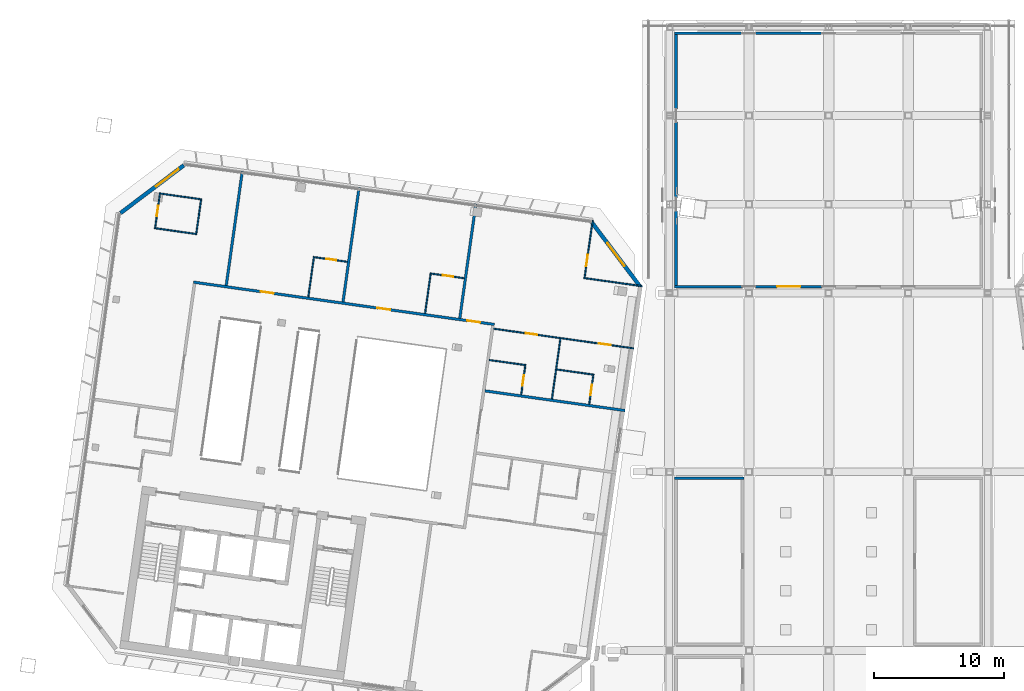
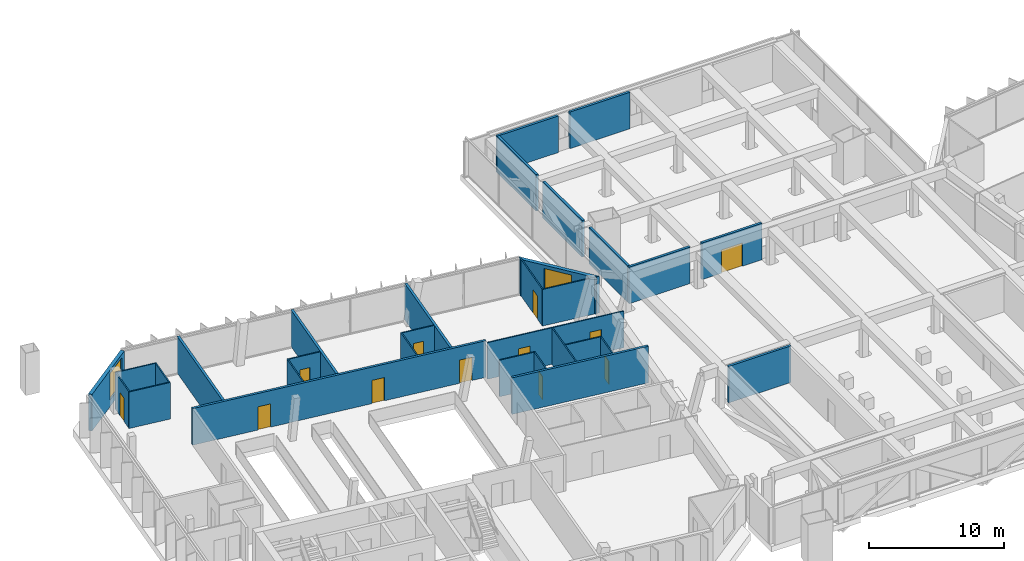
# One storey, part 20 of 30: 31 walls, 12 doors, 2 windows, 14 openings.
"""IFC4 building model written with IfcOpenShell, lengths in metres."""

from ifc_helpers import new_model, si_unit, direction, frame, frame_2d, origin, place, context, subcontext, project, spatial, rectangle, extrude, material, layer, layer_set, type_object, element, fill, save


model = new_model("IFC4")

# Units and contexts
model_context = context("Model", 3, precision=1e-05, world=origin(), true_north=direction((0.0, 1.0)))
body_context = subcontext(model_context, "Body", "Model", "MODEL_VIEW")
ifc_project = project(units=[si_unit("LENGTHUNIT", "METRE"), si_unit("AREAUNIT", "SQUARE_METRE"), si_unit("VOLUMEUNIT", "CUBIC_METRE"), si_unit("PLANEANGLEUNIT", "RADIAN"), si_unit("MASSUNIT", "GRAM", prefix="KILO")], contexts=[model_context])

# Site, building, storey
site_placement = place(None, origin())
site = spatial("IfcSite", under=ifc_project, at=site_placement, CompositionType="ELEMENT")
building_placement = place(site_placement, origin())
building = spatial("IfcBuilding", under=site, at=building_placement, Name="Mirante Cascada Hotel Towers", CompositionType="ELEMENT")
storey_placement = place(building_placement, frame((0.0, 0.0, 258.4)))
storey = spatial("IfcBuildingStorey", under=building, at=storey_placement, Name="L62", CompositionType="ELEMENT", Elevation=258.4)

# Wall
ifc_material_1 = material(Name="Fire-rated plasterboard on metal studs")
ifc_layer_1 = layer(ifc_material_1, 0.2)
ifc_layer_set_1 = layer_set([ifc_layer_1], Name="Compartment wall 200 EI 120")
wall_type_1 = type_object("IfcWallType", Name="Compartment wall 200 EI 120", PredefinedType="PARTITIONING", material=ifc_layer_set_1)
wall_1_placement = place(storey_placement, frame((-26.4556, 2.3827, 0.0), z_axis=(0.0, 0.0, 1.0), x_axis=(0.9902677, -0.1391755, 0.0)))
element("IfcWall", 1, at=wall_1_placement, inside=storey, type_object=wall_type_1, Name="Wall 1-L62-12", PredefinedType="PARTITIONING", context=body_context, shape_type="SweptSolid", body=[
    extrude(rectangle(XDim=10.8798, YDim=0.2, at=frame_2d((5.4399, 0.0))), origin(), (0.0, 0.0, 1.0), 3.3),
])

# Wall, openings, doors
wall_2_placement = place(storey_placement, frame((-48.9088, 10.7557, 0.0), z_axis=(0.0, 0.0, 1.0), x_axis=(0.9902684, -0.1391708, 0.0)))
wall_2 = element("IfcWall", 2, at=wall_2_placement, inside=storey, type_object=wall_type_1, Name="Wall 1-L62-16", PredefinedType="PARTITIONING", context=body_context, shape_type="SweptSolid", body=[
    extrude(rectangle(XDim=23.4, YDim=0.2, at=frame_2d((11.7, 0.0))), origin(), (0.0, 0.0, 1.0), 3.3),
])
opening_1_placement = place(wall_2_placement, frame((21.2999, 0.0, 0.0)))
opening_1 = element("IfcOpeningElement", 3, at=opening_1_placement, cuts=wall_2, Name="Opening D1-L62-10", PredefinedType="OPENING", context=body_context, shape_type="SweptSolid", body=[
    extrude(rectangle(XDim=1.0, YDim=2.1, at=frame_2d((0.5, 1.05))), frame((0.0, 0.1, 0.0), z_axis=(0.0, -1.0, 0.0), x_axis=(1.0, 0.0, 0.0)), (0.0, 0.0, 1.0), 0.2),
])
opening_2_placement = place(wall_2_placement, frame((14.3099, 0.0, 0.0)))
opening_2 = element("IfcOpeningElement", 4, at=opening_2_placement, cuts=wall_2, Name="Opening D1-L62-11", PredefinedType="OPENING", context=body_context, shape_type="SweptSolid", body=[
    extrude(rectangle(XDim=1.0, YDim=2.1, at=frame_2d((0.5, 1.05))), frame((0.0, 0.1, 0.0), z_axis=(0.0, -1.0, 0.0), x_axis=(1.0, 0.0, 0.0)), (0.0, 0.0, 1.0), 0.2),
])
opening_3_placement = place(wall_2_placement, frame((5.2299, 0.0, 0.0)))
opening_3 = element("IfcOpeningElement", 5, at=opening_3_placement, cuts=wall_2, Name="Opening D1-L62-12", PredefinedType="OPENING", context=body_context, shape_type="SweptSolid", body=[
    extrude(rectangle(XDim=1.0, YDim=2.1, at=frame_2d((0.5, 1.05))), frame((0.0, 0.1, 0.0), z_axis=(0.0, -1.0, 0.0), x_axis=(1.0, 0.0, 0.0)), (0.0, 0.0, 1.0), 0.2),
])
ifc_material_2 = material(Name="Fire-rated timber door leaf", Category="wood")
door_type_1 = type_object("IfcDoorType", Name="Entrance door DG1 1000x2100 EI 60", OperationType="SINGLE_SWING_LEFT", PredefinedType="DOOR", material=ifc_material_2)
door_1_placement = place(opening_1_placement, origin())
door_1 = element("IfcDoor", 6, at=door_1_placement, inside=storey, type_object=door_type_1, Name="Door D1-L62-10", OperationType="SINGLE_SWING_LEFT", OverallHeight=2.1, OverallWidth=1.0, PredefinedType="DOOR", context=body_context, shape_type="SweptSolid", body=[
    extrude(rectangle(XDim=1.0, YDim=2.1, at=frame_2d((0.5, 1.05))), frame((0.0, 0.025, 0.0), z_axis=(0.0, -1.0, 0.0), x_axis=(1.0, 0.0, 0.0)), (0.0, 0.0, 1.0), 0.05),
])
fill(opening_1, door_1)
door_2_placement = place(opening_2_placement, origin())
door_2 = element("IfcDoor", 7, at=door_2_placement, inside=storey, type_object=door_type_1, Name="Door D1-L62-11", OperationType="SINGLE_SWING_LEFT", OverallHeight=2.1, OverallWidth=1.0, PredefinedType="DOOR", context=body_context, shape_type="SweptSolid", body=[
    extrude(rectangle(XDim=1.0, YDim=2.1, at=frame_2d((0.5, 1.05))), frame((0.0, 0.025, 0.0), z_axis=(0.0, -1.0, 0.0), x_axis=(1.0, 0.0, 0.0)), (0.0, 0.0, 1.0), 0.05),
])
fill(opening_2, door_2)
door_3_placement = place(opening_3_placement, origin())
door_3 = element("IfcDoor", 8, at=door_3_placement, inside=storey, type_object=door_type_1, Name="Door D1-L62-12", OperationType="SINGLE_SWING_LEFT", OverallHeight=2.1, OverallWidth=1.0, PredefinedType="DOOR", context=body_context, shape_type="SweptSolid", body=[
    extrude(rectangle(XDim=1.0, YDim=2.1, at=frame_2d((0.5, 1.05))), frame((0.0, 0.025, 0.0), z_axis=(0.0, -1.0, 0.0), x_axis=(1.0, 0.0, 0.0)), (0.0, 0.0, 1.0), 0.05),
])
fill(opening_3, door_3)

# Walls
for number, where, z_axis, x_axis, name in (
    (9, (-27.1579, 16.7873, 0.0), (0.0, 0.0, 1.0), (-0.1391684, -0.9902687, 0.0), "Wall 1-L62-32"),
    (10, (-36.1494, 18.051, 0.0), (0.0, 0.0, 1.0), (-0.1391684, -0.9902687, 0.0), "Wall 1-L62-34"),
):
    element("IfcWall", number, at=place(storey_placement, frame(where, z_axis=z_axis, x_axis=x_axis)), inside=storey, type_object=wall_type_1, Name=name, PredefinedType="PARTITIONING", context=body_context, shape_type="SweptSolid", body=[
        extrude(rectangle(XDim=8.9, YDim=0.2, at=frame_2d((4.45, 0.0))), origin(), (0.0, 0.0, 1.0), 3.3),
    ])
wall_3_placement = place(storey_placement, frame((-45.1409, 19.3146, 0.0), z_axis=(0.0, 0.0, 1.0), x_axis=(-0.139181, -0.990267, 0.0)))
element("IfcWall", 11, at=wall_3_placement, inside=storey, type_object=wall_type_1, Name="Wall 1-L62-36", PredefinedType="PARTITIONING", context=body_context, shape_type="SweptSolid", body=[
    extrude(rectangle(XDim=8.8999, YDim=0.2, at=frame_2d((4.45, 0.0))), origin(), (0.0, 0.0, 1.0), 3.3),
])
ifc_material_3 = material(Name="Masonry block", Category="masonry")
ifc_layer_2 = layer(ifc_material_3, 0.2)
ifc_layer_set_2 = layer_set([ifc_layer_2], Name="Deck room wall 200 block EI 120")
wall_type_2 = type_object("IfcWallType", Name="Deck room wall 200 block EI 120", PredefinedType="PARTITIONING", material=ifc_layer_set_2)
wall_4_placement = place(storey_placement, frame((-11.85, -4.35, 0.0), z_axis=(0.0, 0.0, 1.0), x_axis=(1.0, 0.0, 0.0)))
element("IfcWall", 12, at=wall_4_placement, inside=storey, type_object=wall_type_2, Name="Sky park fire wall L62 W6", PredefinedType="PARTITIONING", context=body_context, shape_type="SweptSolid", body=[
    extrude(rectangle(XDim=5.32, YDim=0.2, at=frame_2d((2.66, 0.0))), origin(), (0.0, 0.0, 1.0), 3.3),
])
for number, where, z_axis, x_axis, name in (
    (13, (-11.85, 10.41, 0.0), (0.0, 0.0, 1.0), (1.0, 0.0, 0.0), "Sky park fire wall L62 W17"),
    (14, (-11.85, 29.91, 0.0), (0.0, 0.0, 1.0), (1.0, 0.0, 0.0), "Sky park fire wall L62 W18"),
):
    element("IfcWall", number, at=place(storey_placement, frame(where, z_axis=z_axis, x_axis=x_axis)), inside=storey, type_object=wall_type_2, Name=name, PredefinedType="PARTITIONING", context=body_context, shape_type="SweptSolid", body=[
        extrude(rectangle(XDim=5.22, YDim=0.2, at=frame_2d((2.61, 0.0))), origin(), (0.0, 0.0, 1.0), 3.3),
    ])

# Wall, opening, door
wall_5_placement = place(storey_placement, frame((-5.63, 10.41, 0.0), z_axis=(0.0, 0.0, 1.0), x_axis=(1.0, 0.0, 0.0)))
wall_5 = element("IfcWall", 15, at=wall_5_placement, inside=storey, type_object=wall_type_2, Name="Sky park fire wall L62 W19", PredefinedType="PARTITIONING", context=body_context, shape_type="SweptSolid", body=[
    extrude(rectangle(XDim=5.13, YDim=0.2, at=frame_2d((2.565, 0.0))), origin(), (0.0, 0.0, 1.0), 3.3),
])
opening_4_placement = place(wall_5_placement, frame((1.665, 0.0, 0.0)))
opening_4 = element("IfcOpeningElement", 16, at=opening_4_placement, cuts=wall_5, Name="Opening DD-62-05", PredefinedType="OPENING", context=body_context, shape_type="SweptSolid", body=[
    extrude(rectangle(XDim=1.8, YDim=2.1, at=frame_2d((0.9, 1.05))), frame((0.0, 0.1, 0.0), z_axis=(0.0, -1.0, 0.0), x_axis=(1.0, 0.0, 0.0)), (0.0, 0.0, 1.0), 0.2),
])
ifc_material_4 = material(Name="Hollow metal fire door leaf")
door_type_2 = type_object("IfcDoorType", Name="Double fire door 1800x2100 FD60 self-closing", OperationType="DOUBLE_DOOR_SINGLE_SWING", PredefinedType="DOOR", material=ifc_material_4)
door_4_placement = place(opening_4_placement, frame((1.8, 0.0, 0.0), z_axis=(0.0, 0.0, 1.0), x_axis=(-1.0, 0.0, 0.0)))
door_4 = element("IfcDoor", 17, at=door_4_placement, inside=storey, type_object=door_type_2, Name="Fire door sky park L62 d5", OperationType="DOUBLE_DOOR_SINGLE_SWING", OverallHeight=2.1, OverallWidth=1.8, PredefinedType="DOOR", context=body_context, shape_type="SweptSolid", body=[
    extrude(rectangle(XDim=0.895, YDim=2.1, at=frame_2d((0.4475, 1.05))), frame((0.0, 0.025, 0.0), z_axis=(0.0, -1.0, 0.0), x_axis=(1.0, 0.0, 0.0)), (0.0, 0.0, 1.0), 0.05),
    extrude(rectangle(XDim=0.895, YDim=2.1, at=frame_2d((1.3525, 1.05))), frame((0.0, 0.025, 0.0), z_axis=(0.0, -1.0, 0.0), x_axis=(1.0, 0.0, 0.0)), (0.0, 0.0, 1.0), 0.05),
])
fill(opening_4, door_4)

# Walls
wall_6_placement = place(storey_placement, frame((-5.63, 29.91, 0.0), z_axis=(0.0, 0.0, 1.0), x_axis=(1.0, 0.0, 0.0)))
element("IfcWall", 18, at=wall_6_placement, inside=storey, type_object=wall_type_2, Name="Sky park fire wall L62 W20", PredefinedType="PARTITIONING", context=body_context, shape_type="SweptSolid", body=[
    extrude(rectangle(XDim=5.13, YDim=0.2, at=frame_2d((2.565, 0.0))), origin(), (0.0, 0.0, 1.0), 3.3),
])
wall_7_placement = place(storey_placement, frame((-11.75, 10.51, 0.0), z_axis=(0.0, 0.0, 1.0), x_axis=(0.0, 1.0, 0.0)))
element("IfcWall", 19, at=wall_7_placement, inside=storey, type_object=wall_type_2, Name="Sky park fire wall L62 W25", PredefinedType="PARTITIONING", context=body_context, shape_type="SweptSolid", body=[
    extrude(rectangle(XDim=5.74, YDim=0.2, at=frame_2d((2.87, 0.0))), origin(), (0.0, 0.0, 1.0), 3.3),
])
wall_8_placement = place(storey_placement, frame((-11.75, 17.25, 0.0), z_axis=(0.0, 0.0, 1.0), x_axis=(0.0, 1.0, 0.0)))
element("IfcWall", 20, at=wall_8_placement, inside=storey, type_object=wall_type_2, Name="Sky park fire wall L62 W27", PredefinedType="PARTITIONING", context=body_context, shape_type="SweptSolid", body=[
    extrude(rectangle(XDim=5.83, YDim=0.2, at=frame_2d((2.915, 0.0))), origin(), (0.0, 0.0, 1.0), 3.3),
])
wall_9_placement = place(storey_placement, frame((-11.75, 24.08, 0.0), z_axis=(0.0, 0.0, 1.0), x_axis=(0.0, 1.0, 0.0)))
element("IfcWall", 21, at=wall_9_placement, inside=storey, type_object=wall_type_2, Name="Sky park fire wall L62 W29", PredefinedType="PARTITIONING", context=body_context, shape_type="SweptSolid", body=[
    extrude(rectangle(XDim=5.73, YDim=0.2, at=frame_2d((2.865, 0.0))), origin(), (0.0, 0.0, 1.0), 3.3),
])
ifc_material_5 = material(Name="Plasterboard on metal studs")
ifc_layer_3 = layer(ifc_material_5, 0.1)
ifc_layer_set_3 = layer_set([ifc_layer_3], Name="Partition 100")
wall_type_3 = type_object("IfcWallType", Name="Partition 100", PredefinedType="PARTITIONING", material=ifc_layer_set_3)
wall_10_placement = place(storey_placement, frame((-18.061, 3.6265, 0.0), z_axis=(0.0, 0.0, 1.0), x_axis=(-0.9902676, 0.1391761, 0.0)))
element("IfcWall", 22, at=wall_10_placement, inside=storey, type_object=wall_type_3, Name="Wall 1-L62-13", PredefinedType="PARTITIONING", context=body_context, shape_type="SweptSolid", body=[
    extrude(rectangle(XDim=2.8999, YDim=0.1, at=frame_2d((1.45, 0.0))), origin(), (0.0, 0.0, 1.0), 3.3),
])
wall_11_placement = place(storey_placement, frame((-26.1215, 4.7593, 0.0), z_axis=(0.0, 0.0, 1.0), x_axis=(0.9902697, -0.1391613, 0.0)))
element("IfcWall", 23, at=wall_11_placement, inside=storey, type_object=wall_type_3, Name="Wall 1-L62-14", PredefinedType="PARTITIONING", context=body_context, shape_type="SweptSolid", body=[
    extrude(rectangle(XDim=2.8499, YDim=0.1, at=frame_2d((1.425, 0.0))), origin(), (0.0, 0.0, 1.0), 3.3),
])

# Wall, openings, doors
wall_12_placement = place(storey_placement, frame((-15.0091, 5.6549, 0.0), z_axis=(0.0, 0.0, 1.0), x_axis=(-0.9902688, 0.1391678, 0.0)))
wall_12 = element("IfcWall", 24, at=wall_12_placement, inside=storey, type_object=wall_type_3, Name="Wall 1-L62-15", PredefinedType="PARTITIONING", context=body_context, shape_type="SweptSolid", body=[
    extrude(rectangle(XDim=10.8797, YDim=0.1, at=frame_2d((5.4398, 0.0))), origin(), (0.0, 0.0, 1.0), 3.3),
])
opening_5_placement = place(wall_12_placement, frame((1.7949, 0.0, 0.0)))
opening_5 = element("IfcOpeningElement", 25, at=opening_5_placement, cuts=wall_12, Name="Opening D1-L62-08", PredefinedType="OPENING", context=body_context, shape_type="SweptSolid", body=[
    extrude(rectangle(XDim=0.9, YDim=2.1, at=frame_2d((0.45, 1.05))), frame((0.0, 0.05, 0.0), z_axis=(0.0, -1.0, 0.0), x_axis=(1.0, 0.0, 0.0)), (0.0, 0.0, 1.0), 0.1),
])
opening_6_placement = place(wall_12_placement, frame((7.4848, 0.0, 0.0)))
opening_6 = element("IfcOpeningElement", 26, at=opening_6_placement, cuts=wall_12, Name="Opening D1-L62-09", PredefinedType="OPENING", context=body_context, shape_type="SweptSolid", body=[
    extrude(rectangle(XDim=0.9, YDim=2.1, at=frame_2d((0.45, 1.05))), frame((0.0, 0.05, 0.0), z_axis=(0.0, -1.0, 0.0), x_axis=(1.0, 0.0, 0.0)), (0.0, 0.0, 1.0), 0.1),
])
ifc_material_6 = material(Name="Timber door leaf", Category="wood")
door_type_3 = type_object("IfcDoorType", Name="Room door DG3 900x2100", OperationType="SINGLE_SWING_LEFT", PredefinedType="DOOR", material=ifc_material_6)
door_5_placement = place(opening_5_placement, frame((0.9, 0.0, 0.0), z_axis=(0.0, 0.0, 1.0), x_axis=(-1.0, 0.0, 0.0)))
door_5 = element("IfcDoor", 27, at=door_5_placement, inside=storey, type_object=door_type_3, Name="Door D1-L62-08", OperationType="SINGLE_SWING_RIGHT", OverallHeight=2.1, OverallWidth=0.9, PredefinedType="DOOR", context=body_context, shape_type="SweptSolid", body=[
    extrude(rectangle(XDim=0.9, YDim=2.1, at=frame_2d((0.45, 1.05))), frame((0.0, 0.025, 0.0), z_axis=(0.0, -1.0, 0.0), x_axis=(1.0, 0.0, 0.0)), (0.0, 0.0, 1.0), 0.05),
])
fill(opening_5, door_5)
door_6_placement = place(opening_6_placement, frame((0.9, 0.0, 0.0), z_axis=(0.0, 0.0, 1.0), x_axis=(-1.0, 0.0, 0.0)))
door_6 = element("IfcDoor", 28, at=door_6_placement, inside=storey, type_object=door_type_3, Name="Door D1-L62-09", OperationType="SINGLE_SWING_RIGHT", OverallHeight=2.1, OverallWidth=0.9, PredefinedType="DOOR", context=body_context, shape_type="SweptSolid", body=[
    extrude(rectangle(XDim=0.9, YDim=2.1, at=frame_2d((0.45, 1.05))), frame((0.0, 0.025, 0.0), z_axis=(0.0, -1.0, 0.0), x_axis=(1.0, 0.0, 0.0)), (0.0, 0.0, 1.0), 0.05),
])
fill(opening_6, door_6)

# Wall, opening, door
wall_13_placement = place(storey_placement, frame((-28.0641, 11.0576, 0.0), z_axis=(0.0, 0.0, 1.0), x_axis=(-0.9902677, 0.1391755, 0.0)))
wall_13 = element("IfcWall", 29, at=wall_13_placement, inside=storey, type_object=wall_type_3, Name="Wall 1-L62-17", PredefinedType="PARTITIONING", context=body_context, shape_type="SweptSolid", body=[
    extrude(rectangle(XDim=2.55, YDim=0.1, at=frame_2d((1.275, 0.0))), origin(), (0.0, 0.0, 1.0), 3.3),
])
opening_7_placement = place(wall_13_placement, frame((0.85, 0.0, 0.0)))
opening_7 = element("IfcOpeningElement", 30, at=opening_7_placement, cuts=wall_13, Name="Opening D1-L62-13", PredefinedType="OPENING", context=body_context, shape_type="SweptSolid", body=[
    extrude(rectangle(XDim=0.8, YDim=2.1, at=frame_2d((0.4, 1.05))), frame((0.0, 0.05, 0.0), z_axis=(0.0, -1.0, 0.0), x_axis=(1.0, 0.0, 0.0)), (0.0, 0.0, 1.0), 0.1),
])
ifc_material_7 = material(Name="Timber door leaf", Category="wood")
door_type_4 = type_object("IfcDoorType", Name="Bathroom door DG4 800x2100", OperationType="SINGLE_SWING_LEFT", PredefinedType="DOOR", material=ifc_material_7)
door_7_placement = place(opening_7_placement, frame((0.8, 0.0, 0.0), z_axis=(0.0, 0.0, 1.0), x_axis=(-1.0, 0.0, 0.0)))
door_7 = element("IfcDoor", 31, at=door_7_placement, inside=storey, type_object=door_type_4, Name="Door D1-L62-13", OperationType="SINGLE_SWING_RIGHT", OverallHeight=2.1, OverallWidth=0.8, PredefinedType="DOOR", context=body_context, shape_type="SweptSolid", body=[
    extrude(rectangle(XDim=0.8, YDim=2.1, at=frame_2d((0.4, 1.05))), frame((0.0, 0.025, 0.0), z_axis=(0.0, -1.0, 0.0), x_axis=(1.0, 0.0, 0.0)), (0.0, 0.0, 1.0), 0.05),
])
fill(opening_7, door_7)

wall_14_placement = place(storey_placement, frame((-39.5808, 12.6762, 0.0), z_axis=(0.0, 0.0, 1.0), x_axis=(0.9902677, -0.1391755, 0.0)))
wall_14 = element("IfcWall", 32, at=wall_14_placement, inside=storey, type_object=wall_type_3, Name="Wall 1-L62-18", PredefinedType="PARTITIONING", context=body_context, shape_type="SweptSolid", body=[
    extrude(rectangle(XDim=2.55, YDim=0.1, at=frame_2d((1.275, 0.0))), origin(), (0.0, 0.0, 1.0), 3.3),
])
opening_8_placement = place(wall_14_placement, frame((0.9, 0.0, 0.0)))
opening_8 = element("IfcOpeningElement", 33, at=opening_8_placement, cuts=wall_14, Name="Opening D1-L62-14", PredefinedType="OPENING", context=body_context, shape_type="SweptSolid", body=[
    extrude(rectangle(XDim=0.8, YDim=2.1, at=frame_2d((0.4, 1.05))), frame((0.0, 0.05, 0.0), z_axis=(0.0, -1.0, 0.0), x_axis=(1.0, 0.0, 0.0)), (0.0, 0.0, 1.0), 0.1),
])
door_8_placement = place(opening_8_placement, origin())
door_8 = element("IfcDoor", 34, at=door_8_placement, inside=storey, type_object=door_type_4, Name="Door D1-L62-14", OperationType="SINGLE_SWING_LEFT", OverallHeight=2.1, OverallWidth=0.8, PredefinedType="DOOR", context=body_context, shape_type="SweptSolid", body=[
    extrude(rectangle(XDim=0.8, YDim=2.1, at=frame_2d((0.4, 1.05))), frame((0.0, 0.025, 0.0), z_axis=(0.0, -1.0, 0.0), x_axis=(1.0, 0.0, 0.0)), (0.0, 0.0, 1.0), 0.05),
])
fill(opening_8, door_8)

# Walls
wall_15_placement = place(storey_placement, frame((-48.6414, 14.4545, 0.0), z_axis=(0.0, 0.0, 1.0), x_axis=(-0.990267, 0.139181, 0.0)))
element("IfcWall", 35, at=wall_15_placement, inside=storey, type_object=wall_type_3, Name="Wall 1-L62-19", PredefinedType="PARTITIONING", context=body_context, shape_type="SweptSolid", body=[
    extrude(rectangle(XDim=3.3, YDim=0.1, at=frame_2d((1.65, 0.0))), origin(), (0.0, 0.0, 1.0), 3.3),
])
wall_16_placement = place(storey_placement, frame((-18.8421, 11.0744, 0.0), z_axis=(0.0, 0.0, 1.0), x_axis=(0.9902661, -0.1391871, 0.0)))
element("IfcWall", 36, at=wall_16_placement, inside=storey, type_object=wall_type_3, Name="Wall 1-L62-20", PredefinedType="PARTITIONING", context=body_context, shape_type="SweptSolid", body=[
    extrude(rectangle(XDim=4.55, YDim=0.1, at=frame_2d((2.275, 0.0))), origin(), (0.0, 0.0, 1.0), 3.3),
])
wall_17_placement = place(storey_placement, frame((-48.2656, 17.1282, 0.0), z_axis=(0.0, 0.0, 1.0), x_axis=(-0.990267, 0.139181, 0.0)))
element("IfcWall", 37, at=wall_17_placement, inside=storey, type_object=wall_type_3, Name="Wall 1-L62-21", PredefinedType="PARTITIONING", context=body_context, shape_type="SweptSolid", body=[
    extrude(rectangle(XDim=3.3, YDim=0.1, at=frame_2d((1.65, 0.0))), origin(), (0.0, 0.0, 1.0), 3.3),
])

# Wall, opening, door
wall_18_placement = place(storey_placement, frame((-18.4306, 1.3558, 0.0), z_axis=(0.0, 0.0, 1.0), x_axis=(0.1391997, 0.9902643, 0.0)))
wall_18 = element("IfcWall", 38, at=wall_18_placement, inside=storey, type_object=wall_type_3, Name="Wall 1-L62-23", PredefinedType="PARTITIONING", context=body_context, shape_type="SweptSolid", body=[
    extrude(rectangle(XDim=2.25, YDim=0.1, at=frame_2d((1.125, 0.0))), origin(), (0.0, 0.0, 1.0), 3.3),
])
opening_9_placement = place(wall_18_placement, frame((0.7, 0.0, 0.0)))
opening_9 = element("IfcOpeningElement", 39, at=opening_9_placement, cuts=wall_18, Name="Opening D1-L62-16", PredefinedType="OPENING", context=body_context, shape_type="SweptSolid", body=[
    extrude(rectangle(XDim=0.8, YDim=2.1, at=frame_2d((0.4, 1.05))), frame((0.0, 0.05, 0.0), z_axis=(0.0, -1.0, 0.0), x_axis=(1.0, 0.0, 0.0)), (0.0, 0.0, 1.0), 0.1),
])
door_9_placement = place(opening_9_placement, origin())
door_9 = element("IfcDoor", 40, at=door_9_placement, inside=storey, type_object=door_type_4, Name="Door D1-L62-16", OperationType="SINGLE_SWING_LEFT", OverallHeight=2.1, OverallWidth=0.8, PredefinedType="DOOR", context=body_context, shape_type="SweptSolid", body=[
    extrude(rectangle(XDim=0.8, YDim=2.1, at=frame_2d((0.4, 1.05))), frame((0.0, 0.025, 0.0), z_axis=(0.0, -1.0, 0.0), x_axis=(1.0, 0.0, 0.0)), (0.0, 0.0, 1.0), 0.05),
])
fill(opening_9, door_9)

wall_19_placement = place(storey_placement, frame((-18.7856, 11.1169, 0.0), z_axis=(0.0, 0.0, 1.0), x_axis=(0.1391684, 0.9902687, 0.0)))
wall_19 = element("IfcWall", 41, at=wall_19_placement, inside=storey, type_object=wall_type_3, Name="Wall 1-L62-25", PredefinedType="PARTITIONING", context=body_context, shape_type="SweptSolid", body=[
    extrude(rectangle(XDim=4.45, YDim=0.1, at=frame_2d((2.225, 0.0))), origin(), (0.0, 0.0, 1.0), 3.3),
])
opening_10_placement = place(wall_19_placement, frame((0.8583, 0.0, 0.0)))
opening_10 = element("IfcOpeningElement", 42, at=opening_10_placement, cuts=wall_19, Name="Opening D1-L62-18", PredefinedType="OPENING", context=body_context, shape_type="SweptSolid", body=[
    extrude(rectangle(XDim=0.9, YDim=2.1, at=frame_2d((0.45, 1.05))), frame((0.0, 0.05, 0.0), z_axis=(0.0, -1.0, 0.0), x_axis=(1.0, 0.0, 0.0)), (0.0, 0.0, 1.0), 0.1),
])
door_10_placement = place(opening_10_placement, origin())
door_10 = element("IfcDoor", 43, at=door_10_placement, inside=storey, type_object=door_type_3, Name="Door D1-L62-18", OperationType="SINGLE_SWING_LEFT", OverallHeight=2.1, OverallWidth=0.9, PredefinedType="DOOR", context=body_context, shape_type="SweptSolid", body=[
    extrude(rectangle(XDim=0.9, YDim=2.1, at=frame_2d((0.45, 1.05))), frame((0.0, 0.025, 0.0), z_axis=(0.0, -1.0, 0.0), x_axis=(1.0, 0.0, 0.0)), (0.0, 0.0, 1.0), 0.05),
])
fill(opening_10, door_10)

# Wall
wall_20_placement = place(storey_placement, frame((-21.3023, 1.7594, 0.0), z_axis=(0.0, 0.0, 1.0), x_axis=(0.139173, 0.9902681, 0.0)))
element("IfcWall", 44, at=wall_20_placement, inside=storey, type_object=wall_type_3, Name="Wall 1-L62-27", PredefinedType="PARTITIONING", context=body_context, shape_type="SweptSolid", body=[
    extrude(rectangle(XDim=4.6834, YDim=0.1, at=frame_2d((2.3417, 0.0))), origin(), (0.0, 0.0, 1.0), 3.3),
])

# Wall, opening, door
wall_21_placement = place(storey_placement, frame((-23.6689, 2.092, 0.0), z_axis=(0.0, 0.0, 1.0), x_axis=(0.1391997, 0.9902643, 0.0)))
wall_21 = element("IfcWall", 45, at=wall_21_placement, inside=storey, type_object=wall_type_3, Name="Wall 1-L62-29", PredefinedType="PARTITIONING", context=body_context, shape_type="SweptSolid", body=[
    extrude(rectangle(XDim=2.25, YDim=0.1, at=frame_2d((1.125, 0.0))), origin(), (0.0, 0.0, 1.0), 3.3),
])
opening_11_placement = place(wall_21_placement, frame((0.7, 0.0, 0.0)))
opening_11 = element("IfcOpeningElement", 46, at=opening_11_placement, cuts=wall_21, Name="Opening D1-L62-20", PredefinedType="OPENING", context=body_context, shape_type="SweptSolid", body=[
    extrude(rectangle(XDim=0.8, YDim=2.1, at=frame_2d((0.4, 1.05))), frame((0.0, 0.05, 0.0), z_axis=(0.0, -1.0, 0.0), x_axis=(1.0, 0.0, 0.0)), (0.0, 0.0, 1.0), 0.1),
])
door_11_placement = place(opening_11_placement, origin())
door_11 = element("IfcDoor", 47, at=door_11_placement, inside=storey, type_object=door_type_4, Name="Door D1-L62-20", OperationType="SINGLE_SWING_LEFT", OverallHeight=2.1, OverallWidth=0.8, PredefinedType="DOOR", context=body_context, shape_type="SweptSolid", body=[
    extrude(rectangle(XDim=0.8, YDim=2.1, at=frame_2d((0.4, 1.05))), frame((0.0, 0.025, 0.0), z_axis=(0.0, -1.0, 0.0), x_axis=(1.0, 0.0, 0.0)), (0.0, 0.0, 1.0), 0.05),
])
fill(opening_11, door_11)

# Walls
wall_22_placement = place(storey_placement, frame((-31.0702, 8.3497, 0.0), z_axis=(0.0, 0.0, 1.0), x_axis=(0.1391765, 0.9902676, 0.0)))
element("IfcWall", 48, at=wall_22_placement, inside=storey, type_object=wall_type_3, Name="Wall 1-L62-33", PredefinedType="PARTITIONING", context=body_context, shape_type="SweptSolid", body=[
    extrude(rectangle(XDim=3.15, YDim=0.1, at=frame_2d((1.575, 0.0))), origin(), (0.0, 0.0, 1.0), 3.3),
])
wall_23_placement = place(storey_placement, frame((-40.0618, 9.6133, 0.0), z_axis=(0.0, 0.0, 1.0), x_axis=(0.1391721, 0.9902682, 0.0)))
element("IfcWall", 49, at=wall_23_placement, inside=storey, type_object=wall_type_3, Name="Wall 1-L62-35", PredefinedType="PARTITIONING", context=body_context, shape_type="SweptSolid", body=[
    extrude(rectangle(XDim=3.1501, YDim=0.1, at=frame_2d((1.575, 0.0))), origin(), (0.0, 0.0, 1.0), 3.3),
])
wall_24_placement = place(storey_placement, frame((-48.3221, 17.0857, 0.0), z_axis=(0.0, 0.0, 1.0), x_axis=(-0.1391541, -0.9902707, 0.0)))
element("IfcWall", 50, at=wall_24_placement, inside=storey, type_object=wall_type_3, Name="Wall 1-L62-38", PredefinedType="PARTITIONING", context=body_context, shape_type="SweptSolid", body=[
    extrude(rectangle(XDim=2.6, YDim=0.1, at=frame_2d((1.3, 0.0))), origin(), (0.0, 0.0, 1.0), 3.3),
])

# Wall, opening, door
wall_25_placement = place(storey_placement, frame((-51.8528, 14.9563, 0.0), z_axis=(0.0, 0.0, 1.0), x_axis=(0.1391541, 0.9902707, 0.0)))
wall_25 = element("IfcWall", 51, at=wall_25_placement, inside=storey, type_object=wall_type_3, Name="Wall 1-L62-41", PredefinedType="PARTITIONING", context=body_context, shape_type="SweptSolid", body=[
    extrude(rectangle(XDim=2.6, YDim=0.1, at=frame_2d((1.3, 0.0))), origin(), (0.0, 0.0, 1.0), 3.3),
])
opening_12_placement = place(wall_25_placement, frame((0.9, 0.0, 0.0)))
opening_12 = element("IfcOpeningElement", 52, at=opening_12_placement, cuts=wall_25, Name="Opening D1-L62-25", PredefinedType="OPENING", context=body_context, shape_type="SweptSolid", body=[
    extrude(rectangle(XDim=0.8, YDim=2.1, at=frame_2d((0.4, 1.05))), frame((0.0, 0.05, 0.0), z_axis=(0.0, -1.0, 0.0), x_axis=(1.0, 0.0, 0.0)), (0.0, 0.0, 1.0), 0.1),
])
door_12_placement = place(opening_12_placement, frame((0.8, 0.0, 0.0), z_axis=(0.0, 0.0, 1.0), x_axis=(-1.0, 0.0, 0.0)))
door_12 = element("IfcDoor", 53, at=door_12_placement, inside=storey, type_object=door_type_4, Name="Door D1-L62-25", OperationType="SINGLE_SWING_RIGHT", OverallHeight=2.1, OverallWidth=0.8, PredefinedType="DOOR", context=body_context, shape_type="SweptSolid", body=[
    extrude(rectangle(XDim=0.8, YDim=2.1, at=frame_2d((0.4, 1.05))), frame((0.0, 0.025, 0.0), z_axis=(0.0, -1.0, 0.0), x_axis=(1.0, 0.0, 0.0)), (0.0, 0.0, 1.0), 0.05),
])
fill(opening_12, door_12)

# Wall, opening, window
ifc_material_8 = material(Name="Precast concrete C40/50", Category="concrete")
ifc_layer_4 = layer(ifc_material_8, 0.3)
ifc_layer_set_4 = layer_set([ifc_layer_4], Name="Precast concrete C40/50 cladding wall 300")
wall_type_4 = type_object("IfcWallType", Name="Precast concrete C40/50 cladding wall 300", PredefinedType="STANDARD", material=ifc_layer_set_4)
wall_26_placement = place(storey_placement, frame((-54.5298, 16.0715, 0.0), z_axis=(0.0, 0.0, 1.0), x_axis=(0.7986362, 0.6018141, 0.0)))
wall_26 = element("IfcWall", 54, at=wall_26_placement, inside=storey, type_object=wall_type_4, Name="Corner cladding wall T1 L62 outer front", PredefinedType="STANDARD", context=body_context, shape_type="SweptSolid", body=[
    extrude(rectangle(XDim=6.1157, YDim=0.3, at=frame_2d((3.0578, 0.0))), origin(), (0.0, 0.0, 1.0), 3.3),
])
opening_13_placement = place(wall_26_placement, frame((3.4182, 0.0, 0.6)))
opening_13 = element("IfcOpeningElement", 55, at=opening_13_placement, cuts=wall_26, Name="Opening W1-62-05", PredefinedType="OPENING", context=body_context, shape_type="SweptSolid", body=[
    extrude(rectangle(XDim=2.2, YDim=2.4, at=frame_2d((1.1, 1.2))), frame((0.0, 0.15, 0.0), z_axis=(0.0, -1.0, 0.0), x_axis=(1.0, 0.0, 0.0)), (0.0, 0.0, 1.0), 0.3),
])
ifc_material_9 = material(Name="Aluminium frame with clear double glazing", Category="aluminium")
window_type = type_object("IfcWindowType", Name="Corner suite window 2200x2400", PartitioningType="DOUBLE_PANEL_VERTICAL", PredefinedType="WINDOW", material=ifc_material_9)
window_1_placement = place(opening_13_placement, origin())
window_1 = element("IfcWindow", 56, at=window_1_placement, inside=storey, type_object=window_type, Name="Window W1-62-05", OverallHeight=2.4, OverallWidth=2.2, PartitioningType="SINGLE_PANEL", PredefinedType="WINDOW", context=body_context, shape_type="SweptSolid", body=[
    extrude(rectangle(XDim=2.2, YDim=2.4, at=frame_2d((1.1, 1.2))), frame((0.0, 0.03, 0.0), z_axis=(0.0, -1.0, 0.0), x_axis=(1.0, 0.0, 0.0)), (0.0, 0.0, 1.0), 0.06),
])
fill(opening_13, window_1)

wall_27_placement = place(storey_placement, frame((-18.2114, 15.3342, 0.0), z_axis=(0.0, 0.0, 1.0), x_axis=(0.6018141, -0.7986362, 0.0)))
wall_27 = element("IfcWall", 57, at=wall_27_placement, inside=storey, type_object=wall_type_4, Name="Corner cladding wall T1 L62 front inner", PredefinedType="STANDARD", context=body_context, shape_type="SweptSolid", body=[
    extrude(rectangle(XDim=6.1157, YDim=0.3, at=frame_2d((3.0578, 0.0))), origin(), (0.0, 0.0, 1.0), 3.3),
])
opening_14_placement = place(wall_27_placement, frame((1.9578, 0.0, 0.6)))
opening_14 = element("IfcOpeningElement", 58, at=opening_14_placement, cuts=wall_27, Name="Opening W1-62-06", PredefinedType="OPENING", context=body_context, shape_type="SweptSolid", body=[
    extrude(rectangle(XDim=2.2, YDim=2.4, at=frame_2d((1.1, 1.2))), frame((0.0, 0.15, 0.0), z_axis=(0.0, -1.0, 0.0), x_axis=(1.0, 0.0, 0.0)), (0.0, 0.0, 1.0), 0.3),
])
window_2_placement = place(opening_14_placement, origin())
window_2 = element("IfcWindow", 59, at=window_2_placement, inside=storey, type_object=window_type, Name="Window W1-62-06", OverallHeight=2.4, OverallWidth=2.2, PartitioningType="SINGLE_PANEL", PredefinedType="WINDOW", context=body_context, shape_type="SweptSolid", body=[
    extrude(rectangle(XDim=2.2, YDim=2.4, at=frame_2d((1.1, 1.2))), frame((0.0, 0.03, 0.0), z_axis=(0.0, -1.0, 0.0), x_axis=(1.0, 0.0, 0.0)), (0.0, 0.0, 1.0), 0.06),
])
fill(opening_14, window_2)

save(model, "model.ifc")
